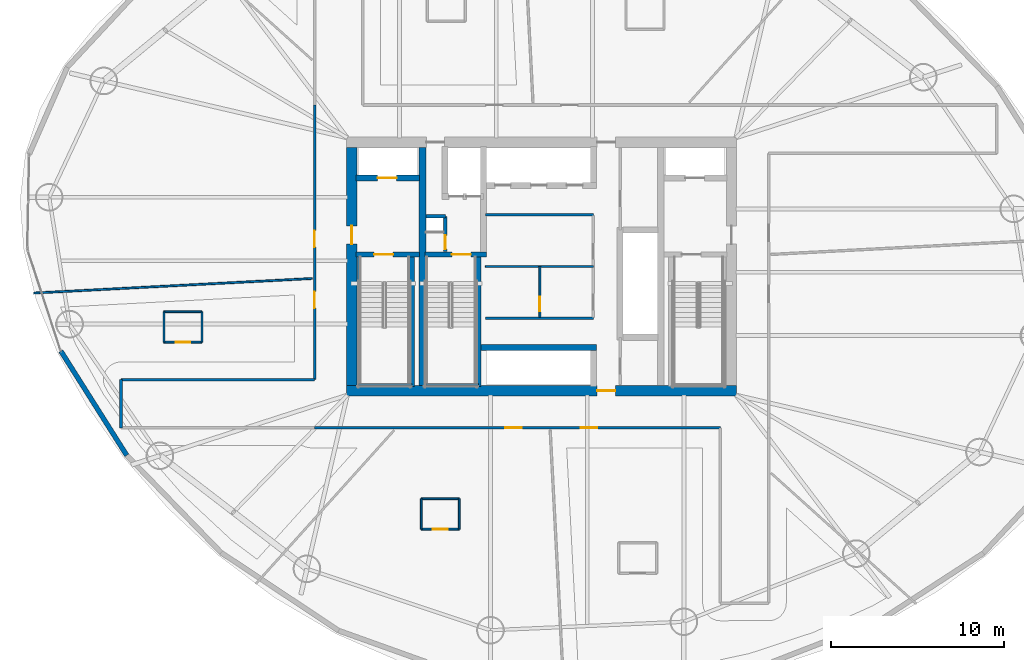
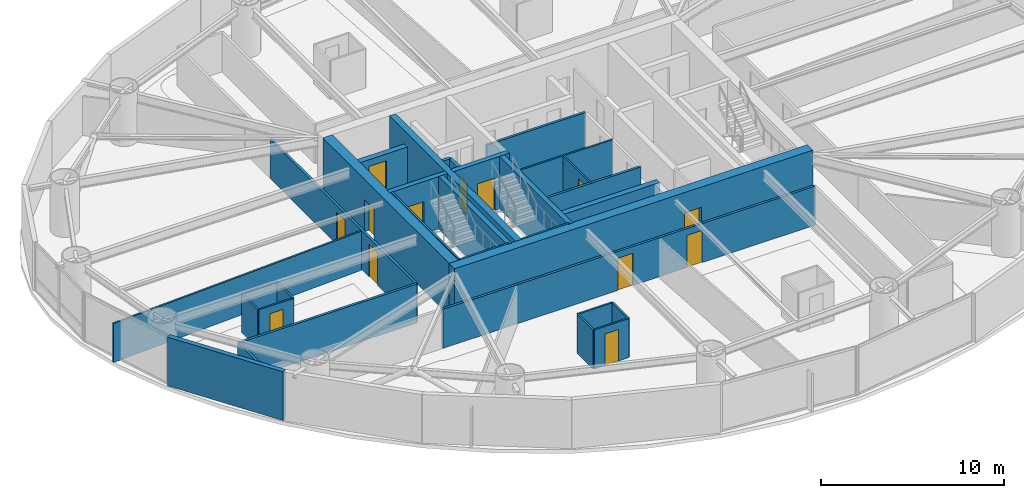
# One storey, part 18 of 24: 32 walls, 13 doors, 13 openings.
"""IFC4 building model written with IfcOpenShell, lengths in metres."""

from ifc_helpers import new_model, si_unit, direction, frame, frame_2d, origin, place, context, subcontext, project, spatial, rectangle, extrude, material, layer, layer_set, type_object, element, fill, save


model = new_model("IFC4")

# Units and contexts
model_context = context("Model", 3, precision=1e-05, world=origin(), true_north=direction((0.0, 1.0)))
body_context = subcontext(model_context, "Body", "Model", "MODEL_VIEW")
ifc_project = project(units=[si_unit("LENGTHUNIT", "METRE"), si_unit("AREAUNIT", "SQUARE_METRE"), si_unit("VOLUMEUNIT", "CUBIC_METRE"), si_unit("PLANEANGLEUNIT", "RADIAN"), si_unit("MASSUNIT", "GRAM", prefix="KILO")], contexts=[model_context])

# Site, building, storey
site_placement = place(None, origin())
site = spatial("IfcSite", under=ifc_project, at=site_placement, CompositionType="ELEMENT")
building_placement = place(site_placement, origin())
building = spatial("IfcBuilding", under=site, at=building_placement, Name="Bramvorn Convention Spire", CompositionType="ELEMENT")
storey_placement = place(building_placement, frame((0.0, 0.0, 83.39990234375)))
storey = spatial("IfcBuildingStorey", under=building, at=storey_placement, Name="L19", CompositionType="ELEMENT", Elevation=83.39990234375)

# Wall, opening, door
ifc_material_1 = material(Name="Concrete C60/70", Category="concrete")
ifc_layer_1 = layer(ifc_material_1, 0.60009765625)
ifc_layer_set_1 = layer_set([ifc_layer_1], Name="Concrete C60/70 - WL-CORE-600")
wall_type_1 = type_object("IfcWallType", Name="WL-CORE-600", PredefinedType="SHEAR", material=ifc_layer_set_1)
wall_1_placement = place(storey_placement, frame((26.699951171875, 18.800048828125, 0.0), z_axis=(0.0, 0.0, 1.0), x_axis=(1.0, 0.0, 0.0)))
wall_1 = element("IfcWall", 1, at=wall_1_placement, inside=storey, type_object=wall_type_1, Name="L19 South RC core shear wall", PredefinedType="SHEAR", context=body_context, shape_type="SweptSolid", body=[
    extrude(rectangle(XDim=22.60009765625, YDim=0.60009765625, at=frame_2d((11.300048828125, 0.0))), origin(), (0.0, 0.0, 1.0), 3.5),
])
opening_1_placement = place(wall_1_placement, frame((14.52001953125, 0.0, 0.0)))
opening_1 = element("IfcOpeningElement", 2, at=opening_1_placement, cuts=wall_1, Name="Opening DL-105", PredefinedType="OPENING", context=body_context, shape_type="SweptSolid", body=[
    extrude(rectangle(XDim=1.050048828125, YDim=2.14990234375, at=frame_2d((0.52490234375, 1.074951171875))), frame((0.0, 0.31005859375, 0.0), z_axis=(0.0, -1.0, 0.0), x_axis=(1.0, 0.0, 0.0)), (0.0, 0.0, 1.0), 0.6201171875),
])
ifc_material_2 = material(Name="Smoke-Sealed Fire Lobby Timber-Core Door", Category="wood")
door_type_1 = type_object("IfcDoorType", Name="DR-LOBBY-1050", OperationType="NOTDEFINED", PredefinedType="DOOR", material=ifc_material_2)
door_1_placement = place(opening_1_placement, origin())
door_1 = element("IfcDoor", 3, at=door_1_placement, inside=storey, type_object=door_type_1, Name="L19 South Lift Lobby fire door", OperationType="SINGLE_SWING_RIGHT", OverallHeight=2.14990234375, OverallWidth=1.050048828125, PredefinedType="DOOR", context=body_context, shape_type="SweptSolid", body=[
    extrude(rectangle(XDim=1.050048828125, YDim=2.14990234375, at=frame_2d((0.52490234375, 1.074951171875))), frame((0.0, 0.02490234375, 0.0), z_axis=(0.0, -1.0, 0.0), x_axis=(1.0, 0.0, 0.0)), (0.0, 0.0, 1.0), 0.050048828125),
])
fill(opening_1, door_1)

wall_2_placement = place(storey_placement, frame((27.0, 19.10009765625, 0.0), z_axis=(0.0, 0.0, 1.0), x_axis=(0.0, 1.0, 0.0)))
wall_2 = element("IfcWall", 4, at=wall_2_placement, inside=storey, type_object=wall_type_1, Name="L19 West RC core shear wall", PredefinedType="SHEAR", context=body_context, shape_type="SweptSolid", body=[
    extrude(rectangle(XDim=13.7998046875, YDim=0.60009765625, at=frame_2d((6.89990234375, 0.0))), origin(), (0.0, 0.0, 1.0), 3.5),
])
opening_2_placement = place(wall_2_placement, frame((8.199951171875, 0.0, 0.0)))
opening_2 = element("IfcOpeningElement", 5, at=opening_2_placement, cuts=wall_2, Name="Opening DL-105", PredefinedType="OPENING", context=body_context, shape_type="SweptSolid", body=[
    extrude(rectangle(XDim=1.050048828125, YDim=2.14990234375, at=frame_2d((0.52490234375, 1.074951171875))), frame((0.0, 0.31005859375, 0.0), z_axis=(0.0, -1.0, 0.0), x_axis=(1.0, 0.0, 0.0)), (0.0, 0.0, 1.0), 0.6201171875),
])
door_2_placement = place(opening_2_placement, origin())
door_2 = element("IfcDoor", 6, at=door_2_placement, inside=storey, type_object=door_type_1, Name="L19 West Firefighting Lobby corridor door", OperationType="SINGLE_SWING_RIGHT", OverallHeight=2.14990234375, OverallWidth=1.050048828125, PredefinedType="DOOR", context=body_context, shape_type="SweptSolid", body=[
    extrude(rectangle(XDim=1.050048828125, YDim=2.14990234375, at=frame_2d((0.52490234375, 1.074951171875))), frame((0.0, 0.02490234375, 0.0), z_axis=(0.0, -1.0, 0.0), x_axis=(1.0, 0.0, 0.0)), (0.0, 0.0, 1.0), 0.050048828125),
])
fill(opening_2, door_2)

ifc_material_3 = material(Name="Concrete C50/60", Category="concrete")
ifc_layer_2 = layer(ifc_material_3, 0.35009765625)
ifc_layer_set_2 = layer_set([ifc_layer_2], Name="Concrete C50/60 - WL-CORE-INT-350")
wall_type_2 = type_object("IfcWallType", Name="WL-CORE-INT-350", PredefinedType="SHEAR", material=ifc_layer_set_2)
wall_3_placement = place(storey_placement, frame((27.25, 31.1201171875, 0.0), z_axis=(0.0, 0.0, 1.0), x_axis=(1.0, 0.0, 0.0)))
wall_3 = element("IfcWall", 7, at=wall_3_placement, inside=storey, type_object=wall_type_2, Name="L19 FE1 shaft front wall", PredefinedType="SHEAR", context=body_context, shape_type="SweptSolid", body=[
    extrude(rectangle(XDim=3.669921875, YDim=0.35009765625, at=frame_2d((1.8349609375, 0.0))), origin(), (0.0, 0.0, 1.0), 2.60009765625),
])
opening_3_placement = place(wall_3_placement, frame((1.25, 0.0, 0.0)))
opening_3 = element("IfcOpeningElement", 8, at=opening_3_placement, cuts=wall_3, Name="Opening LD-110", PredefinedType="OPENING", context=body_context, shape_type="SweptSolid", body=[
    extrude(rectangle(XDim=1.10009765625, YDim=2.14990234375, at=frame_2d((0.550048828125, 1.074951171875))), frame((0.0, 0.18505859375, 0.0), z_axis=(0.0, -1.0, 0.0), x_axis=(1.0, 0.0, 0.0)), (0.0, 0.0, 1.0), 0.3701171875),
])
ifc_material_4 = material(Name="Firefighting & Service Lift Sliding Landing Door", Category="steel")
door_type_2 = type_object("IfcDoorType", Name="DR-LIFT-LD-1100", OperationType="NOTDEFINED", PredefinedType="DOOR", material=ifc_material_4)
door_3_placement = place(opening_3_placement, origin())
door_3 = element("IfcDoor", 9, at=door_3_placement, inside=storey, type_object=door_type_2, Name="L19 Lift FE1 Sliding Landing Door", OperationType="SLIDING_TO_LEFT", OverallHeight=2.14990234375, OverallWidth=1.10009765625, PredefinedType="DOOR", context=body_context, shape_type="SweptSolid", body=[
    extrude(rectangle(XDim=1.10009765625, YDim=2.14990234375, at=frame_2d((0.550048828125, 1.074951171875))), frame((0.0, 0.02490234375, 0.0), z_axis=(0.0, -1.0, 0.0), x_axis=(1.0, 0.0, 0.0)), (0.0, 0.0, 1.0), 0.050048828125),
])
fill(opening_3, door_3)

# Walls
wall_4_placement = place(storey_placement, frame((34.489990234375, 21.300048828125, 0.0), z_axis=(0.0, 0.0, 1.0), x_axis=(1.0, 0.0, 0.0)))
element("IfcWall", 10, at=wall_4_placement, inside=storey, type_object=wall_type_2, Name="L19 Mid-rise bank north landing wall", PredefinedType="SHEAR", context=body_context, shape_type="SweptSolid", body=[
    extrude(rectangle(XDim=6.679931640625, YDim=0.35009765625, at=frame_2d((3.33984375, 0.0))), origin(), (0.0, 0.0, 1.0), 2.60009765625),
])
ifc_layer_3 = layer(ifc_material_1, 0.39990234375)
ifc_layer_set_3 = layer_set([ifc_layer_3], Name="Concrete C60/70 - WL-CORE-INT-400")
wall_type_3 = type_object("IfcWallType", Name="WL-CORE-INT-400", PredefinedType="SHEAR", material=ifc_layer_set_3)
wall_5_placement = place(storey_placement, frame((31.10009765625, 19.10009765625, 0.0), z_axis=(0.0, 0.0, 1.0), x_axis=(0.0, 1.0, 0.0)))
element("IfcWall", 11, at=wall_5_placement, inside=storey, type_object=wall_type_3, Name="L19 West internal core shear web", PredefinedType="SHEAR", context=body_context, shape_type="SweptSolid", body=[
    extrude(rectangle(XDim=13.7998046875, YDim=0.39990234375, at=frame_2d((6.89990234375, 0.0))), origin(), (0.0, 0.0, 1.0), 3.5),
])
ifc_material_5 = material(Name="Precast Concrete C40/50 with Bronze Terracotta Rainscreen", Category="masonry")
ifc_layer_4 = layer(ifc_material_5, 0.300048828125)
ifc_layer_set_4 = layer_set([ifc_layer_4], Name="Precast Concrete C40/50 with Bronze Terracotta Rainscreen - WL-EXT-BRONZE-300")
wall_type_4 = type_object("IfcWallType", Name="WL-EXT-BRONZE-300", PredefinedType="SOLIDWALL", material=ifc_layer_set_4)
wall_6_placement = place(storey_placement, frame((13.973876953125, 15.060546875, 0.0), z_axis=(0.0, 0.0, 1.0), x_axis=(-0.534152439674, 0.845388177815, 0.0)))
element("IfcWall", 12, at=wall_6_placement, inside=storey, type_object=wall_type_4, Name="L19 expressed bronze Gothic lancet pier wall 15", PredefinedType="SOLIDWALL", context=body_context, shape_type="SweptSolid", body=[
    extrude(rectangle(XDim=7.14306640625, YDim=0.280029296875, at=frame_2d((3.571533203125, 0.0))), origin(), (0.0, 0.0, 1.0), 3.25),
])
ifc_material_6 = material(Name="Lightweight En-Suite & Wet-Wall Partition", Category="gypsum")
ifc_layer_5 = layer(ifc_material_6, 0.110107421875)
ifc_layer_set_5 = layer_set([ifc_layer_5], Name="Lightweight En-Suite & Wet-Wall Partition - WL-PART-110")
wall_type_5 = type_object("IfcWallType", Name="WL-PART-110", PredefinedType="PARTITIONING", material=ifc_layer_set_5)
wall_7_placement = place(storey_placement, frame((34.75, 26.0, 0.0), z_axis=(0.0, 0.0, 1.0), x_axis=(1.0, 0.0, 0.0)))
element("IfcWall", 13, at=wall_7_placement, inside=storey, type_object=wall_type_5, Name="L19 KA horizontal core divider", PredefinedType="PARTITIONING", context=body_context, shape_type="SweptSolid", body=[
    extrude(rectangle(XDim=6.25, YDim=0.110107421875, at=frame_2d((3.125, 0.0))), origin(), (0.0, 0.0, 1.0), 2.60009765625),
])

# Wall, opening, door
wall_8_placement = place(storey_placement, frame((37.89990234375, 23.050048828125, 0.0), z_axis=(0.0, 0.0, 1.0), x_axis=(0.0, 1.0, 0.0)))
wall_8 = element("IfcWall", 14, at=wall_8_placement, inside=storey, type_object=wall_type_5, Name="L19 KA restroom subwall", PredefinedType="PARTITIONING", context=body_context, shape_type="SweptSolid", body=[
    extrude(rectangle(XDim=2.949951171875, YDim=0.110107421875, at=frame_2d((1.47509765625, 0.0))), origin(), (0.0, 0.0, 1.0), 2.60009765625),
])
opening_4_placement = place(wall_8_placement, frame((0.35009765625, 0.0, 0.0)))
opening_4 = element("IfcOpeningElement", 15, at=opening_4_placement, cuts=wall_8, Name="Opening DC-085", PredefinedType="OPENING", context=body_context, shape_type="SweptSolid", body=[
    extrude(rectangle(XDim=0.85009765625, YDim=2.10009765625, at=frame_2d((0.425048828125, 1.050048828125))), frame((0.0, 0.06494140625, 0.0), z_axis=(0.0, -1.0, 0.0), x_axis=(1.0, 0.0, 0.0)), (0.0, 0.0, 1.0), 0.130126953125),
])
ifc_material_7 = material(Name="Fire-Rated Core Washroom & IDF Door", Category="wood")
door_type_3 = type_object("IfcDoorType", Name="DR-CORE-850", OperationType="NOTDEFINED", PredefinedType="DOOR", material=ifc_material_7)
door_4_placement = place(opening_4_placement, origin())
door_4 = element("IfcDoor", 16, at=door_4_placement, inside=storey, type_object=door_type_3, Name="L19 Core IT Closet door", OperationType="SINGLE_SWING_LEFT", OverallHeight=2.10009765625, OverallWidth=0.85009765625, PredefinedType="DOOR", context=body_context, shape_type="SweptSolid", body=[
    extrude(rectangle(XDim=0.85009765625, YDim=2.10009765625, at=frame_2d((0.425048828125, 1.050048828125))), frame((0.0, 0.02490234375, 0.0), z_axis=(0.0, -1.0, 0.0), x_axis=(1.0, 0.0, 0.0)), (0.0, 0.0, 1.0), 0.050048828125),
])
fill(opening_4, door_4)

# Wall
wall_9_placement = place(storey_placement, frame((24.7099609375, 25.303466796875, 0.0), z_axis=(0.0, 0.0, 1.0), x_axis=(-0.998629300498, -0.052340425941, 0.0)))
element("IfcWall", 17, at=wall_9_placement, inside=storey, type_object=wall_type_5, Name="L19 Guestroom demising wall 5", PredefinedType="PARTITIONING", context=body_context, shape_type="SweptSolid", body=[
    extrude(rectangle(XDim=16.134521484375, YDim=0.110107421875, at=frame_2d((8.0673828125, 0.0))), origin(), (0.0, 0.0, 1.0), 2.60009765625),
])

# Wall, opening, door
wall_10_placement = place(storey_placement, frame((16.12939453125, 21.615478515625, 0.0), z_axis=(0.0, 0.0, 1.0), x_axis=(1.0, 0.0, 0.0)))
wall_10 = element("IfcWall", 18, at=wall_10_placement, inside=storey, type_object=wall_type_5, Name="Hotel Suite 1905 en-suite south wall", PredefinedType="PARTITIONING", context=body_context, shape_type="SweptSolid", body=[
    extrude(rectangle(XDim=2.199951171875, YDim=0.110107421875, at=frame_2d((1.10009765625, 0.0))), origin(), (0.0, 0.0, 1.0), 2.60009765625),
])
opening_5_placement = place(wall_10_placement, frame((0.679931640625, 0.0, 0.0)))
opening_5 = element("IfcOpeningElement", 19, at=opening_5_placement, cuts=wall_10, Name="Opening DI-085", PredefinedType="OPENING", context=body_context, shape_type="SweptSolid", body=[
    extrude(rectangle(XDim=0.85009765625, YDim=2.10009765625, at=frame_2d((0.425048828125, 1.050048828125))), frame((0.0, 0.06494140625, 0.0), z_axis=(0.0, -1.0, 0.0), x_axis=(1.0, 0.0, 0.0)), (0.0, 0.0, 1.0), 0.130126953125),
])
ifc_material_8 = material(Name="En-Suite & Restroom Privacy Door", Category="wood")
door_type_4 = type_object("IfcDoorType", Name="DR-INT-850", OperationType="NOTDEFINED", PredefinedType="DOOR", material=ifc_material_8)
door_5_placement = place(opening_5_placement, origin())
door_5 = element("IfcDoor", 20, at=door_5_placement, inside=storey, type_object=door_type_4, Name="Hotel Suite 1905 En-Suite Bathroom door", OperationType="SINGLE_SWING_LEFT", OverallHeight=2.10009765625, OverallWidth=0.85009765625, PredefinedType="DOOR", context=body_context, shape_type="SweptSolid", body=[
    extrude(rectangle(XDim=0.85009765625, YDim=2.10009765625, at=frame_2d((0.425048828125, 1.050048828125))), frame((0.0, 0.02490234375, 0.0), z_axis=(0.0, -1.0, 0.0), x_axis=(1.0, 0.0, 0.0)), (0.0, 0.0, 1.0), 0.050048828125),
])
fill(opening_5, door_5)

# Walls
wall_11_placement = place(storey_placement, frame((16.12939453125, 23.37548828125, 0.0), z_axis=(0.0, 0.0, 1.0), x_axis=(1.0, 0.0, 0.0)))
element("IfcWall", 21, at=wall_11_placement, inside=storey, type_object=wall_type_5, Name="Hotel Suite 1905 en-suite north wall", PredefinedType="PARTITIONING", context=body_context, shape_type="SweptSolid", body=[
    extrude(rectangle(XDim=2.199951171875, YDim=0.110107421875, at=frame_2d((1.10009765625, 0.0))), origin(), (0.0, 0.0, 1.0), 2.60009765625),
])
for number, where, z_axis, x_axis, name in (
    (22, (16.12939453125, 21.615478515625, 0.0), (0.0, 0.0, 1.0), (0.0, 1.0, 0.0), "Hotel Suite 1905 en-suite west wall"),
    (23, (18.329345703125, 21.615478515625, 0.0), (0.0, 0.0, 1.0), (0.0, 1.0, 0.0), "Hotel Suite 1905 en-suite east wall"),
):
    element("IfcWall", number, at=place(storey_placement, frame(where, z_axis=z_axis, x_axis=x_axis)), inside=storey, type_object=wall_type_5, Name=name, PredefinedType="PARTITIONING", context=body_context, shape_type="SweptSolid", body=[
        extrude(rectangle(XDim=1.760009765625, YDim=0.110107421875, at=frame_2d((0.8798828125, 0.0))), origin(), (0.0, 0.0, 1.0), 2.60009765625),
    ])

# Wall, opening, door
wall_12_placement = place(storey_placement, frame((31.02978515625, 10.7880859375, 0.0), z_axis=(0.0, 0.0, 1.0), x_axis=(1.0, 0.0, 0.0)))
wall_12 = element("IfcWall", 24, at=wall_12_placement, inside=storey, type_object=wall_type_5, Name="Hotel Suite 1906 en-suite south wall", PredefinedType="PARTITIONING", context=body_context, shape_type="SweptSolid", body=[
    extrude(rectangle(XDim=2.199951171875, YDim=0.110107421875, at=frame_2d((1.10009765625, 0.0))), origin(), (0.0, 0.0, 1.0), 2.60009765625),
])
opening_6_placement = place(wall_12_placement, frame((0.679931640625, 0.0, 0.0)))
opening_6 = element("IfcOpeningElement", 25, at=opening_6_placement, cuts=wall_12, Name="Opening DI-085", PredefinedType="OPENING", context=body_context, shape_type="SweptSolid", body=[
    extrude(rectangle(XDim=0.85009765625, YDim=2.10009765625, at=frame_2d((0.425048828125, 1.050048828125))), frame((0.0, 0.06494140625, 0.0), z_axis=(0.0, -1.0, 0.0), x_axis=(1.0, 0.0, 0.0)), (0.0, 0.0, 1.0), 0.130126953125),
])
door_6_placement = place(opening_6_placement, origin())
door_6 = element("IfcDoor", 26, at=door_6_placement, inside=storey, type_object=door_type_4, Name="Hotel Suite 1906 En-Suite Bathroom door", OperationType="SINGLE_SWING_LEFT", OverallHeight=2.10009765625, OverallWidth=0.85009765625, PredefinedType="DOOR", context=body_context, shape_type="SweptSolid", body=[
    extrude(rectangle(XDim=0.85009765625, YDim=2.10009765625, at=frame_2d((0.425048828125, 1.050048828125))), frame((0.0, 0.02490234375, 0.0), z_axis=(0.0, -1.0, 0.0), x_axis=(1.0, 0.0, 0.0)), (0.0, 0.0, 1.0), 0.050048828125),
])
fill(opening_6, door_6)

# Walls
wall_13_placement = place(storey_placement, frame((31.02978515625, 12.548095703125, 0.0), z_axis=(0.0, 0.0, 1.0), x_axis=(1.0, 0.0, 0.0)))
element("IfcWall", 27, at=wall_13_placement, inside=storey, type_object=wall_type_5, Name="Hotel Suite 1906 en-suite north wall", PredefinedType="PARTITIONING", context=body_context, shape_type="SweptSolid", body=[
    extrude(rectangle(XDim=2.199951171875, YDim=0.110107421875, at=frame_2d((1.10009765625, 0.0))), origin(), (0.0, 0.0, 1.0), 2.60009765625),
])
for number, where, z_axis, x_axis, name in (
    (28, (31.02978515625, 10.7880859375, 0.0), (0.0, 0.0, 1.0), (0.0, 1.0, 0.0), "Hotel Suite 1906 en-suite west wall"),
    (29, (33.229736328125, 10.7880859375, 0.0), (0.0, 0.0, 1.0), (0.0, 1.0, 0.0), "Hotel Suite 1906 en-suite east wall"),
):
    element("IfcWall", number, at=place(storey_placement, frame(where, z_axis=z_axis, x_axis=x_axis)), inside=storey, type_object=wall_type_5, Name=name, PredefinedType="PARTITIONING", context=body_context, shape_type="SweptSolid", body=[
        extrude(rectangle(XDim=1.760009765625, YDim=0.110107421875, at=frame_2d((0.8798828125, 0.0))), origin(), (0.0, 0.0, 1.0), 2.60009765625),
    ])
ifc_material_9 = material(Name="Acoustic Metal-Stud Tenant/Corridor Partition", Category="gypsum")
ifc_layer_6 = layer(ifc_material_9, 0.14990234375)
ifc_layer_set_6 = layer_set([ifc_layer_6], Name="Acoustic Metal-Stud Tenant/Corridor Partition - WL-PART-150")
wall_type_6 = type_object("IfcWallType", Name="WL-PART-150", PredefinedType="PARTITIONING", material=ifc_layer_set_6)
for number, where, z_axis, x_axis, name in (
    (30, (34.75, 29.0, 0.0), (0.0, 0.0, 1.0), (1.0, 0.0, 0.0), "L19 Low-rise lift vestibule south wall"),
    (31, (34.75, 23.0, 0.0), (0.0, 0.0, 1.0), (1.0, 0.0, 0.0), "L19 Mid-rise lift vestibule north wall"),
):
    element("IfcWall", number, at=place(storey_placement, frame(where, z_axis=z_axis, x_axis=x_axis)), inside=storey, type_object=wall_type_6, Name=name, PredefinedType="PARTITIONING", context=body_context, shape_type="SweptSolid", body=[
        extrude(rectangle(XDim=6.25, YDim=0.14990234375, at=frame_2d((3.125, 0.0))), origin(), (0.0, 0.0, 1.0), 2.60009765625),
    ])

# Wall, openings, doors
wall_14_placement = place(storey_placement, frame((24.85009765625, 16.64990234375, 0.0), z_axis=(0.0, 0.0, 1.0), x_axis=(1.0, 0.0, 0.0)))
wall_14 = element("IfcWall", 32, at=wall_14_placement, inside=storey, type_object=wall_type_6, Name="L19 South ring corridor wall", PredefinedType="PARTITIONING", context=body_context, shape_type="SweptSolid", body=[
    extrude(rectangle(XDim=23.5, YDim=0.14990234375, at=frame_2d((11.75, 0.0))), origin(), (0.0, 0.0, 1.0), 2.60009765625),
])
opening_7_placement = place(wall_14_placement, frame((11.05712890625, 0.0, 0.0)))
opening_7 = element("IfcOpeningElement", 33, at=opening_7_placement, cuts=wall_14, Name="Opening DH-095", PredefinedType="OPENING", context=body_context, shape_type="SweptSolid", body=[
    extrude(rectangle(XDim=0.949951171875, YDim=2.14990234375, at=frame_2d((0.47509765625, 1.074951171875))), frame((0.0, 0.0849609375, 0.0), z_axis=(0.0, -1.0, 0.0), x_axis=(1.0, 0.0, 0.0)), (0.0, 0.0, 1.0), 0.169921875),
])
opening_8_placement = place(wall_14_placement, frame((15.41259765625, 0.0, 0.0)))
opening_8 = element("IfcOpeningElement", 34, at=opening_8_placement, cuts=wall_14, Name="Opening DH-095", PredefinedType="OPENING", context=body_context, shape_type="SweptSolid", body=[
    extrude(rectangle(XDim=0.949951171875, YDim=2.14990234375, at=frame_2d((0.47509765625, 1.074951171875))), frame((0.0, 0.0849609375, 0.0), z_axis=(0.0, -1.0, 0.0), x_axis=(1.0, 0.0, 0.0)), (0.0, 0.0, 1.0), 0.169921875),
])
ifc_material_10 = material(Name="Solid-Core Acoustic Guestroom Entry Door", Category="wood")
door_type_5 = type_object("IfcDoorType", Name="DR-HOTEL-950", OperationType="NOTDEFINED", PredefinedType="DOOR", material=ifc_material_10)
door_7_placement = place(opening_7_placement, origin())
door_7 = element("IfcDoor", 35, at=door_7_placement, inside=storey, type_object=door_type_5, Name="Hotel Suite 1906 entry door", OperationType="SINGLE_SWING_RIGHT", OverallHeight=2.14990234375, OverallWidth=0.949951171875, PredefinedType="DOOR", context=body_context, shape_type="SweptSolid", body=[
    extrude(rectangle(XDim=0.949951171875, YDim=2.14990234375, at=frame_2d((0.47509765625, 1.074951171875))), frame((0.0, 0.02490234375, 0.0), z_axis=(0.0, -1.0, 0.0), x_axis=(1.0, 0.0, 0.0)), (0.0, 0.0, 1.0), 0.050048828125),
])
fill(opening_7, door_7)
door_8_placement = place(opening_8_placement, origin())
door_8 = element("IfcDoor", 36, at=door_8_placement, inside=storey, type_object=door_type_5, Name="Hotel Suite 1907 entry door", OperationType="SINGLE_SWING_RIGHT", OverallHeight=2.14990234375, OverallWidth=0.949951171875, PredefinedType="DOOR", context=body_context, shape_type="SweptSolid", body=[
    extrude(rectangle(XDim=0.949951171875, YDim=2.14990234375, at=frame_2d((0.47509765625, 1.074951171875))), frame((0.0, 0.02490234375, 0.0), z_axis=(0.0, -1.0, 0.0), x_axis=(1.0, 0.0, 0.0)), (0.0, 0.0, 1.0), 0.050048828125),
])
fill(opening_8, door_8)

wall_15_placement = place(storey_placement, frame((24.85009765625, 19.449951171875, 0.0), z_axis=(0.0, 0.0, 1.0), x_axis=(0.0, 1.0, 0.0)))
wall_15 = element("IfcWall", 37, at=wall_15_placement, inside=storey, type_object=wall_type_6, Name="L19 West ring corridor wall", PredefinedType="PARTITIONING", context=body_context, shape_type="SweptSolid", body=[
    extrude(rectangle(XDim=15.900146484375, YDim=0.14990234375, at=frame_2d((7.9501953125, 0.0))), origin(), (0.0, 0.0, 1.0), 2.60009765625),
])
opening_9_placement = place(wall_15_placement, frame((7.668701171875, 0.0, 0.0)))
opening_9 = element("IfcOpeningElement", 38, at=opening_9_placement, cuts=wall_15, Name="Opening DH-095", PredefinedType="OPENING", context=body_context, shape_type="SweptSolid", body=[
    extrude(rectangle(XDim=0.949951171875, YDim=2.14990234375, at=frame_2d((0.47509765625, 1.074951171875))), frame((0.0, 0.0849609375, 0.0), z_axis=(0.0, -1.0, 0.0), x_axis=(1.0, 0.0, 0.0)), (0.0, 0.0, 1.0), 0.169921875),
])
opening_10_placement = place(wall_15_placement, frame((4.13818359375, 0.0, 0.0)))
opening_10 = element("IfcOpeningElement", 39, at=opening_10_placement, cuts=wall_15, Name="Opening DH-095", PredefinedType="OPENING", context=body_context, shape_type="SweptSolid", body=[
    extrude(rectangle(XDim=0.949951171875, YDim=2.14990234375, at=frame_2d((0.47509765625, 1.074951171875))), frame((0.0, 0.0849609375, 0.0), z_axis=(0.0, -1.0, 0.0), x_axis=(1.0, 0.0, 0.0)), (0.0, 0.0, 1.0), 0.169921875),
])
door_9_placement = place(opening_9_placement, origin())
door_9 = element("IfcDoor", 40, at=door_9_placement, inside=storey, type_object=door_type_5, Name="L19 Hospitality Salon 4 door", OperationType="SINGLE_SWING_RIGHT", OverallHeight=2.14990234375, OverallWidth=0.949951171875, PredefinedType="DOOR", context=body_context, shape_type="SweptSolid", body=[
    extrude(rectangle(XDim=0.949951171875, YDim=2.14990234375, at=frame_2d((0.47509765625, 1.074951171875))), frame((0.0, 0.02490234375, 0.0), z_axis=(0.0, -1.0, 0.0), x_axis=(1.0, 0.0, 0.0)), (0.0, 0.0, 1.0), 0.050048828125),
])
fill(opening_9, door_9)
door_10_placement = place(opening_10_placement, origin())
door_10 = element("IfcDoor", 41, at=door_10_placement, inside=storey, type_object=door_type_5, Name="Hotel Suite 1905 entry door", OperationType="SINGLE_SWING_LEFT", OverallHeight=2.14990234375, OverallWidth=0.949951171875, PredefinedType="DOOR", context=body_context, shape_type="SweptSolid", body=[
    extrude(rectangle(XDim=0.949951171875, YDim=2.14990234375, at=frame_2d((0.47509765625, 1.074951171875))), frame((0.0, 0.02490234375, 0.0), z_axis=(0.0, -1.0, 0.0), x_axis=(1.0, 0.0, 0.0)), (0.0, 0.0, 1.0), 0.050048828125),
])
fill(opening_10, door_10)

# Walls
wall_16_placement = place(storey_placement, frame((13.638671875, 19.449951171875, 0.0), z_axis=(0.0, 0.0, 1.0), x_axis=(1.0, 0.0, 0.0)))
element("IfcWall", 42, at=wall_16_placement, inside=storey, type_object=wall_type_6, Name="L19 SW pinwheel wing north wall", PredefinedType="PARTITIONING", context=body_context, shape_type="SweptSolid", body=[
    extrude(rectangle(XDim=11.21142578125, YDim=0.14990234375, at=frame_2d((5.605712890625, 0.0))), origin(), (0.0, 0.0, 1.0), 2.60009765625),
])
wall_17_placement = place(storey_placement, frame((13.638671875, 16.64990234375, 0.0), z_axis=(0.0, 0.0, 1.0), x_axis=(0.0, 1.0, 0.0)))
element("IfcWall", 43, at=wall_17_placement, inside=storey, type_object=wall_type_6, Name="L19 SW pinwheel end wall", PredefinedType="PARTITIONING", context=body_context, shape_type="SweptSolid", body=[
    extrude(rectangle(XDim=2.800048828125, YDim=0.14990234375, at=frame_2d((1.39990234375, 0.0))), origin(), (0.0, 0.0, 1.0), 2.60009765625),
])

# Wall, opening, door
ifc_material_11 = material(Name="Gypsum Shaftwall & Rockwool Core Partition", Category="gypsum")
ifc_layer_7 = layer(ifc_material_11, 0.199951171875)
ifc_layer_set_7 = layer_set([ifc_layer_7], Name="Gypsum Shaftwall & Rockwool Core Partition - WL-PART-200-FR")
wall_type_7 = type_object("IfcWallType", Name="WL-PART-200-FR", PredefinedType="PARTITIONING", material=ifc_layer_set_7)
wall_18_placement = place(storey_placement, frame((32.419921875, 26.860107421875, 0.0), z_axis=(0.0, 0.0, 1.0), x_axis=(0.0, 1.0, 0.0)))
wall_18 = element("IfcWall", 44, at=wall_18_placement, inside=storey, type_object=wall_type_7, Name="L19 Telecom riser east wall", PredefinedType="PARTITIONING", context=body_context, shape_type="SweptSolid", body=[
    extrude(rectangle(XDim=2.039794921875, YDim=0.199951171875, at=frame_2d((1.02001953125, 0.0))), origin(), (0.0, 0.0, 1.0), 2.60009765625),
])
opening_11_placement = place(wall_18_placement, frame((0.139892578125, 0.0, 0.0)))
opening_11 = element("IfcOpeningElement", 45, at=opening_11_placement, cuts=wall_18, Name="Opening DR-080", PredefinedType="OPENING", context=body_context, shape_type="SweptSolid", body=[
    extrude(rectangle(XDim=0.800048828125, YDim=2.050048828125, at=frame_2d((0.39990234375, 1.02490234375))), frame((0.0, 0.10986328125, 0.0), z_axis=(0.0, -1.0, 0.0), x_axis=(1.0, 0.0, 0.0)), (0.0, 0.0, 1.0), 0.219970703125),
])
ifc_material_12 = material(Name="Flush Steel Riser Access Door", Category="steel")
door_type_6 = type_object("IfcDoorType", Name="DR-RISER-800", OperationType="NOTDEFINED", PredefinedType="DOOR", material=ifc_material_12)
door_11_placement = place(opening_11_placement, origin())
door_11 = element("IfcDoor", 46, at=door_11_placement, inside=storey, type_object=door_type_6, Name="L19 Telecom riser access door", OperationType="SINGLE_SWING_RIGHT", OverallHeight=2.050048828125, OverallWidth=0.800048828125, PredefinedType="DOOR", context=body_context, shape_type="SweptSolid", body=[
    extrude(rectangle(XDim=0.800048828125, YDim=2.050048828125, at=frame_2d((0.39990234375, 1.02490234375))), frame((0.0, 0.02490234375, 0.0), z_axis=(0.0, -1.0, 0.0), x_axis=(1.0, 0.0, 0.0)), (0.0, 0.0, 1.0), 0.050048828125),
])
fill(opening_11, door_11)

# Wall
wall_19_placement = place(storey_placement, frame((31.300048828125, 28.89990234375, 0.0), z_axis=(0.0, 0.0, 1.0), x_axis=(1.0, 0.0, 0.0)))
element("IfcWall", 47, at=wall_19_placement, inside=storey, type_object=wall_type_7, Name="L19 Telecom riser north wall", PredefinedType="PARTITIONING", context=body_context, shape_type="SweptSolid", body=[
    extrude(rectangle(XDim=1.119873046875, YDim=0.199951171875, at=frame_2d((0.56005859375, 0.0))), origin(), (0.0, 0.0, 1.0), 2.60009765625),
])

# Wall, opening, door
ifc_layer_8 = layer(ifc_material_3, 0.300048828125)
ifc_layer_set_8 = layer_set([ifc_layer_8], Name="Concrete C50/60 - WL-POD-STAIR-300")
wall_type_8 = type_object("IfcWallType", Name="WL-POD-STAIR-300", PredefinedType="SHEAR", material=ifc_layer_set_8)
wall_20_placement = place(storey_placement, frame((27.25, 26.68994140625, 0.0), z_axis=(0.0, 0.0, 1.0), x_axis=(1.0, 0.0, 0.0)))
wall_20 = element("IfcWall", 48, at=wall_20_placement, inside=storey, type_object=wall_type_8, Name="L19 ST1 north fire wall", PredefinedType="SHEAR", context=body_context, shape_type="SweptSolid", body=[
    extrude(rectangle(XDim=3.669921875, YDim=0.300048828125, at=frame_2d((1.8349609375, 0.0))), origin(), (0.0, 0.0, 1.0), 3.5),
])
opening_12_placement = place(wall_20_placement, frame((1.050048828125, 0.0, 0.0)))
opening_12 = element("IfcOpeningElement", 49, at=opening_12_placement, cuts=wall_20, Name="Opening DS-110", PredefinedType="OPENING", context=body_context, shape_type="SweptSolid", body=[
    extrude(rectangle(XDim=1.10009765625, YDim=2.14990234375, at=frame_2d((0.550048828125, 1.074951171875))), frame((0.0, 0.159912109375, 0.0), z_axis=(0.0, -1.0, 0.0), x_axis=(1.0, 0.0, 0.0)), (0.0, 0.0, 1.0), 0.320068359375),
])
ifc_material_13 = material(Name="Fire-Rated Hollow Steel Stairwell Door", Category="steel")
door_type_7 = type_object("IfcDoorType", Name="DR-STAIR-1100", OperationType="NOTDEFINED", PredefinedType="DOOR", material=ifc_material_13)
door_12_placement = place(opening_12_placement, origin())
door_12 = element("IfcDoor", 50, at=door_12_placement, inside=storey, type_object=door_type_7, Name="L19 Stair ST1 fire door", OperationType="SINGLE_SWING_LEFT", OverallHeight=2.14990234375, OverallWidth=1.10009765625, PredefinedType="DOOR", context=body_context, shape_type="SweptSolid", body=[
    extrude(rectangle(XDim=1.10009765625, YDim=2.14990234375, at=frame_2d((0.550048828125, 1.074951171875))), frame((0.0, 0.02490234375, 0.0), z_axis=(0.0, -1.0, 0.0), x_axis=(1.0, 0.0, 0.0)), (0.0, 0.0, 1.0), 0.050048828125),
])
fill(opening_12, door_12)

# Walls
for number, where, z_axis, x_axis, name in (
    (51, (30.489990234375, 19.050048828125, 0.0), (0.0, 0.0, 1.0), (0.0, 1.0, 0.0), "L19 ST1 east bearing wall"),
    (52, (34.340087890625, 19.050048828125, 0.0), (0.0, 0.0, 1.0), (0.0, 1.0, 0.0), "L19 ST3 east bearing wall"),
):
    element("IfcWall", number, at=place(storey_placement, frame(where, z_axis=z_axis, x_axis=x_axis)), inside=storey, type_object=wall_type_8, Name=name, PredefinedType="SHEAR", context=body_context, shape_type="SweptSolid", body=[
        extrude(rectangle(XDim=7.5, YDim=0.300048828125, at=frame_2d((3.75, 0.0))), origin(), (0.0, 0.0, 1.0), 3.5),
    ])

# Wall, opening, door
wall_21_placement = place(storey_placement, frame((31.25, 26.68994140625, 0.0), z_axis=(0.0, 0.0, 1.0), x_axis=(1.0, 0.0, 0.0)))
wall_21 = element("IfcWall", 53, at=wall_21_placement, inside=storey, type_object=wall_type_8, Name="L19 ST3 north lobby wall", PredefinedType="SHEAR", context=body_context, shape_type="SweptSolid", body=[
    extrude(rectangle(XDim=3.56005859375, YDim=0.300048828125, at=frame_2d((1.780029296875, 0.0))), origin(), (0.0, 0.0, 1.0), 3.5),
])
opening_13_placement = place(wall_21_placement, frame((1.550048828125, 0.0, 0.0)))
opening_13 = element("IfcOpeningElement", 54, at=opening_13_placement, cuts=wall_21, Name="Opening DS-110", PredefinedType="OPENING", context=body_context, shape_type="SweptSolid", body=[
    extrude(rectangle(XDim=1.10009765625, YDim=2.14990234375, at=frame_2d((0.550048828125, 1.074951171875))), frame((0.0, 0.159912109375, 0.0), z_axis=(0.0, -1.0, 0.0), x_axis=(1.0, 0.0, 0.0)), (0.0, 0.0, 1.0), 0.320068359375),
])
door_13_placement = place(opening_13_placement, origin())
door_13 = element("IfcDoor", 55, at=door_13_placement, inside=storey, type_object=door_type_7, Name="L19 Stair ST3 fire door", OperationType="SINGLE_SWING_LEFT", OverallHeight=2.14990234375, OverallWidth=1.10009765625, PredefinedType="DOOR", context=body_context, shape_type="SweptSolid", body=[
    extrude(rectangle(XDim=1.10009765625, YDim=2.14990234375, at=frame_2d((0.550048828125, 1.074951171875))), frame((0.0, 0.02490234375, 0.0), z_axis=(0.0, -1.0, 0.0), x_axis=(1.0, 0.0, 0.0)), (0.0, 0.0, 1.0), 0.050048828125),
])
fill(opening_13, door_13)

# Walls
ifc_layer_9 = layer(ifc_material_3, 0.1201171875)
ifc_layer_set_9 = layer_set([ifc_layer_9], Name="Concrete C50/60 - WL-STAIR-RC-120")
wall_type_9 = type_object("IfcWallType", Name="WL-STAIR-RC-120", PredefinedType="SHEAR", material=ifc_layer_set_9)
wall_22_placement = place(storey_placement, frame((27.39501953125, 19.10009765625, 0.0), z_axis=(0.0, 0.0, 1.0), x_axis=(0.0, 1.0, 0.0)))
element("IfcWall", 56, at=wall_22_placement, inside=storey, type_object=wall_type_9, Name="L19 ST1 west bearing shear wall", PredefinedType="SHEAR", context=body_context, shape_type="SweptSolid", body=[
    extrude(rectangle(XDim=7.449951171875, YDim=0.1201171875, at=frame_2d((3.72509765625, 0.0))), origin(), (0.0, 0.0, 1.0), 3.5),
])
wall_23_placement = place(storey_placement, frame((27.39501953125, 19.159912109375, 0.0), z_axis=(0.0, 0.0, 1.0), x_axis=(1.0, 0.0, 0.0)))
element("IfcWall", 57, at=wall_23_placement, inside=storey, type_object=wall_type_9, Name="L19 ST1 south bearing shear wall", PredefinedType="SHEAR", context=body_context, shape_type="SweptSolid", body=[
    extrude(rectangle(XDim=3.094970703125, YDim=0.1201171875, at=frame_2d((1.54736328125, 0.0))), origin(), (0.0, 0.0, 1.0), 3.5),
])
wall_24_placement = place(storey_placement, frame((31.300048828125, 19.159912109375, 0.0), z_axis=(0.0, 0.0, 1.0), x_axis=(1.0, 0.0, 0.0)))
element("IfcWall", 58, at=wall_24_placement, inside=storey, type_object=wall_type_9, Name="L19 ST3 south bearing shear wall", PredefinedType="SHEAR", context=body_context, shape_type="SweptSolid", body=[
    extrude(rectangle(XDim=3.0400390625, YDim=0.1201171875, at=frame_2d((1.52001953125, 0.0))), origin(), (0.0, 0.0, 1.0), 3.5),
])

save(model, "model.ifc")
